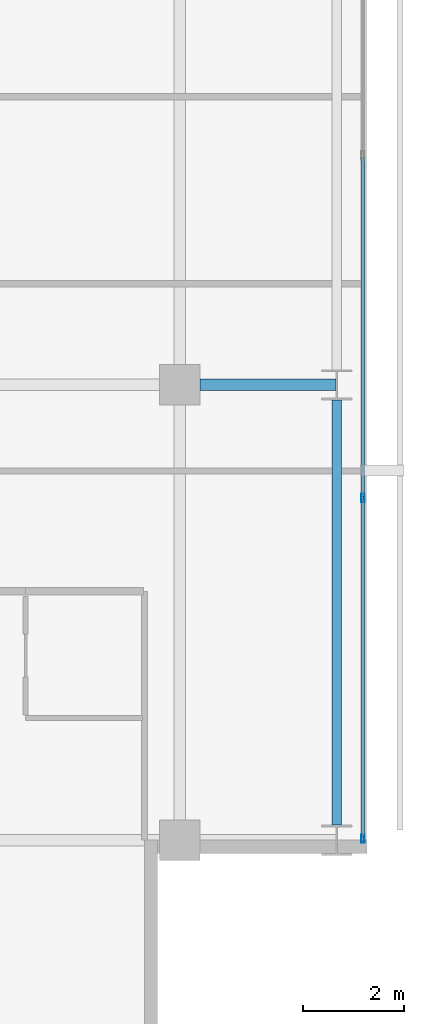
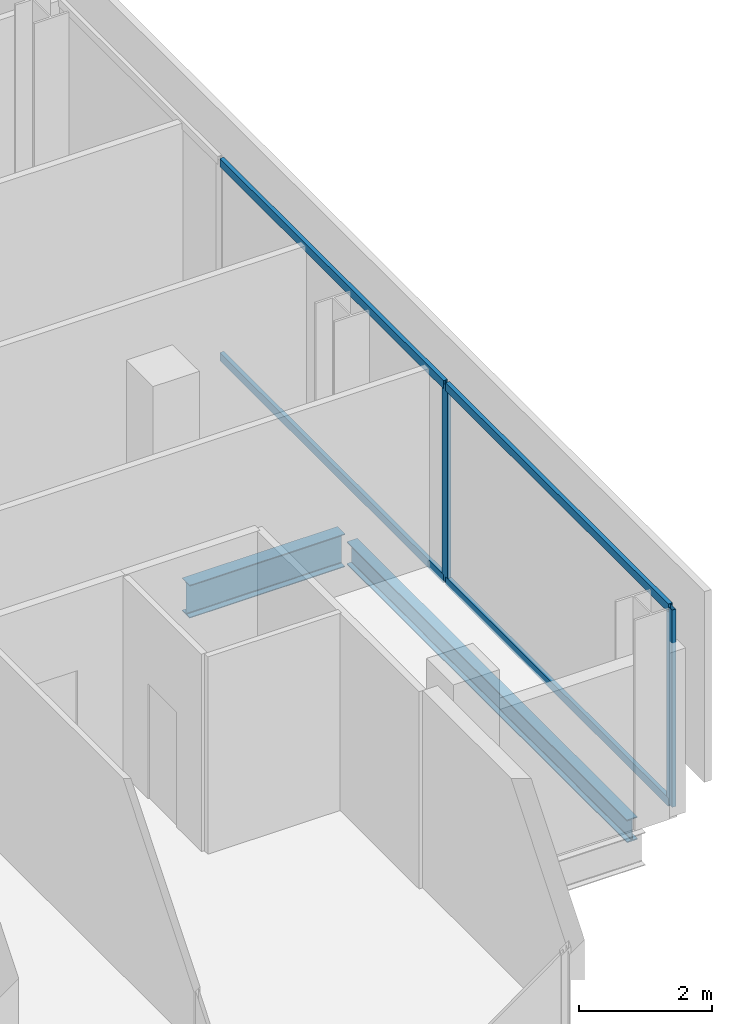
# One storey, part 15 of 34: 6 members, 2 beams, 1 element without a shape of its own.
"""IFC4 building model written with IfcOpenShell, lengths in metres."""

import ifcopenshell
import ifcopenshell.guid

model = None  # the IFC model being written
_history = None  # IfcOwnerHistory: only IFC2X3 demands one
_inside = {}  # id of a spatial element -> (the spatial element, [elements in it])
_under = {}  # id of a project, library or spatial element -> (it, [spatial elements below it])
_declared = {}  # id of a project -> (the project, [libraries it declares])
_typed = {}  # id of a type object -> (the type object, [elements of that type])
_made_of = {}  # id of a material, layer set ... -> (it, [elements and type objects made of it])


def new_model(schema):
    """Start an empty IFC model of exactly this schema.

    Asked for "IFC4X3", IfcOpenShell would pick the latest addendum, in which some entities
    have other attributes; the version numbers below select the first issue.
    IFC2X3 requires an IfcOwnerHistory on every rooted entity: one is made here for all.
    """
    global model, _history
    if schema == "IFC4X3":
        model = ifcopenshell.file(schema_version=(4, 3, 0, 0))
    else:
        model = ifcopenshell.file(schema=schema)
    _inside.clear()
    _under.clear()
    _declared.clear()
    _typed.clear()
    _made_of.clear()
    _history = None
    if model.schema == "IFC2X3":
        org = make("IfcOrganization", Name="unknown")
        user = make(
            "IfcPersonAndOrganization",
            ThePerson=make("IfcPerson", FamilyName="unknown"),
            TheOrganization=org,
        )
        app = make(
            "IfcApplication",
            ApplicationDeveloper=org,
            Version="unknown",
            ApplicationFullName="unknown",
            ApplicationIdentifier="unknown",
        )
        _history = make(
            "IfcOwnerHistory",
            OwningUser=user,
            OwningApplication=app,
            ChangeAction="ADDED",
            CreationDate=0,
        )
    return model


def make(cls, **values):
    """One entity of the class cls with the attributes given. An attribute that is None is left unset."""
    return model.create_entity(
        cls, **{name: value for name, value in values.items() if value is not None}
    )


def rooted(cls, **values):
    """An entity with a GlobalId (a new one), such as an element, a storey or a relation."""
    return make(cls, GlobalId=ifcopenshell.guid.new(), OwnerHistory=_history, **values)


def si_unit(unit_type, name, prefix=None):
    """IfcSIUnit, for example si_unit("LENGTHUNIT", "METRE", prefix="MILLI")."""
    return make("IfcSIUnit", UnitType=unit_type, Prefix=prefix, Name=name)


def assignment(units):
    """IfcUnitAssignment: the units of a project."""
    return None if units is None else make("IfcUnitAssignment", Units=units)


def point(xyz):
    """IfcCartesianPoint."""
    return None if xyz is None else make("IfcCartesianPoint", Coordinates=xyz)


def direction(xyz):
    """IfcDirection."""
    return None if xyz is None else make("IfcDirection", DirectionRatios=xyz)


def frame(location, z_axis=None, x_axis=None):
    """IfcAxis2Placement3D, a coordinate frame: its origin and axes. An axis left out is left unset."""
    return make(
        "IfcAxis2Placement3D",
        Location=point(location),
        Axis=direction(z_axis),
        RefDirection=direction(x_axis),
    )


def frame_2d(location, x_axis=None):
    """IfcAxis2Placement2D, a coordinate frame in the plane: its origin and x axis."""
    return make(
        "IfcAxis2Placement2D", Location=point(location), RefDirection=direction(x_axis)
    )


def origin():
    """The frame at (0, 0, 0) with its axes left unset."""
    return frame((0.0, 0.0, 0.0))


def origin_2d():
    """The frame at (0, 0) in the plane with its x axis left unset."""
    return frame_2d((0.0, 0.0))


def place(relative_to, where):
    """IfcLocalPlacement: puts the frame where relative to a parent placement (None: the world)."""
    return make(
        "IfcLocalPlacement", PlacementRelTo=relative_to, RelativePlacement=where
    )


def context(
    kind, dimensions, precision=None, world=None, true_north=None, identifier=None
):
    """IfcGeometricRepresentationContext, for example the 3D "Model" context."""
    return make(
        "IfcGeometricRepresentationContext",
        ContextIdentifier=identifier,
        ContextType=kind,
        CoordinateSpaceDimension=dimensions,
        Precision=precision,
        WorldCoordinateSystem=world,
        TrueNorth=true_north,
    )


def subcontext(parent, identifier, kind, view, scale=None):
    """IfcGeometricRepresentationSubContext, for example "Body" below "Model"."""
    return make(
        "IfcGeometricRepresentationSubContext",
        ContextIdentifier=identifier,
        ContextType=kind,
        ParentContext=parent,
        TargetScale=scale,
        TargetView=view,
    )


def project(units=None, contexts=None):
    """IfcProject with its units and contexts."""
    return rooted(
        "IfcProject",
        Name="project",
        RepresentationContexts=contexts,
        UnitsInContext=assignment(units),
    )


def spatial(cls, under=None, at=None, **own):
    """A site, building, storey or space (cls), placed at a placement, below another one or the project."""
    s = rooted(cls, ObjectPlacement=at, **own)
    if under is not None:
        _under.setdefault(under.id(), (under, []))[1].append(s)
    return s


def profile(cls, at=None, kind="AREA", **sizes):
    """A parametric profile (cls). Its sizes go by their IFC names, for example OverallWidth=200.0."""
    return make(cls, ProfileType=kind, Position=at, **sizes)


def hollow_rectangle(**sizes):
    """IfcRectangleHollowProfileDef."""
    return profile("IfcRectangleHollowProfileDef", **sizes)


def i_section(**sizes):
    """IfcIShapeProfileDef."""
    return profile("IfcIShapeProfileDef", **sizes)


def extrude(swept, where, along, depth):
    """IfcExtrudedAreaSolid: the profile swept, set in the frame where, extruded along a direction by depth."""
    return make(
        "IfcExtrudedAreaSolid",
        SweptArea=swept,
        Position=where,
        ExtrudedDirection=direction(along),
        Depth=depth,
    )


def shape(context_of_items, identifier, shape_type, items):
    """IfcShapeRepresentation: the items that make up one representation, for example the "Body"."""
    return make(
        "IfcShapeRepresentation",
        ContextOfItems=context_of_items,
        RepresentationIdentifier=identifier,
        RepresentationType=shape_type,
        Items=items,
    )


def material(Name=None, Category=None):
    """IfcMaterial."""
    return make("IfcMaterial", Name=Name, Category=Category)


def layer(
    of_material, thickness, ventilated=None, Name=None, Category=None, Priority=None
):
    """IfcMaterialLayer: one layer of a wall or slab, of a material (None: an air gap)."""
    return make(
        "IfcMaterialLayer",
        Material=of_material,
        LayerThickness=thickness,
        IsVentilated=ventilated,
        Name=Name,
        Category=Category,
        Priority=Priority,
    )


def layer_set(layers, Name=None):
    """IfcMaterialLayerSet."""
    return make("IfcMaterialLayerSet", MaterialLayers=layers, LayerSetName=Name)


def material_profile(
    of_material, cross_section, Name=None, Category=None, Priority=None
):
    """IfcMaterialProfile: a cross section and its material."""
    return make(
        "IfcMaterialProfile",
        Name=Name,
        Material=of_material,
        Profile=cross_section,
        Priority=Priority,
        Category=Category,
    )


def profile_set(profiles, Name=None, composite=None):
    """IfcMaterialProfileSet."""
    return make(
        "IfcMaterialProfileSet",
        Name=Name,
        MaterialProfiles=profiles,
        CompositeProfile=composite,
    )


def made_of(thing, what):
    """Note that an element or type object is made of a material, layer set ...; save() writes the relation."""
    if what is not None:
        _made_of.setdefault(what.id(), (what, []))[1].append(thing)
    return thing


def type_object(cls, material=None, **own):
    """A type object (cls), such as IfcWallType, which elements share."""
    return made_of(rooted(cls, **own), material)


def element(
    cls,
    number,
    at=None,
    inside=None,
    cuts=None,
    type_object=None,
    material=None,
    context=None,
    identifier="Body",
    shape_type=None,
    held_by="IfcProductDefinitionShape",
    body=None,
    shapes=None,
    **own,
):
    """One element of the class cls, such as IfcWall. Its Tag is "e" and its number.

    at: its placement. inside: the storey or other place that contains it. cuts: it is an
    opening in that element (IfcRelVoidsElement). A single representation is given by context,
    identifier, shape_type and body (its items); several are given by shapes. held_by: the class
    of the entity that holds the representations. save() writes the other relations.
    """
    e = rooted(cls, Tag="e%d" % number, ObjectPlacement=at, **own)
    if body is not None:
        shapes = [shape(context, identifier, shape_type, body)]
    if shapes is not None:
        e.Representation = make(held_by, Representations=shapes)
    if inside is not None:
        _inside.setdefault(inside.id(), (inside, []))[1].append(e)
    if cuts is not None:
        rooted(
            "IfcRelVoidsElement", RelatingBuildingElement=cuts, RelatedOpeningElement=e
        )
    if type_object is not None:
        _typed.setdefault(type_object.id(), (type_object, []))[1].append(e)
    return made_of(e, material)


def aggregate(whole, parts):
    """IfcRelAggregates: a whole, such as a stair, and the parts it consists of."""
    return rooted("IfcRelAggregates", RelatingObject=whole, RelatedObjects=parts)


def save(model, path):
    """Write the relations noted so far, then the file.

    IfcRelAggregates (storeys below a building ...), IfcRelContainedInSpatialStructure (elements
    in a storey), IfcRelDefinesByType, IfcRelAssociatesMaterial and IfcRelDeclares: one each for
    every whole, place, type object, material and project.
    """
    for whole, parts in _under.values():
        aggregate(whole, parts)
    for where, things in _inside.values():
        rooted(
            "IfcRelContainedInSpatialStructure",
            RelatedElements=things,
            RelatingStructure=where,
        )
    for kind, things in _typed.values():
        rooted("IfcRelDefinesByType", RelatedObjects=things, RelatingType=kind)
    for what, things in _made_of.values():
        rooted("IfcRelAssociatesMaterial", RelatedObjects=things, RelatingMaterial=what)
    for by, libraries in _declared.values():
        rooted("IfcRelDeclares", RelatingContext=by, RelatedDefinitions=libraries)
    model.write(path)


model = new_model("IFC4")

# Units and contexts
model_context = context("Model", 3, precision=1e-05, world=origin(), true_north=direction((0.0, 1.0)))
body_context = subcontext(model_context, "Body", "Model", "MODEL_VIEW")
ifc_project = project(units=[si_unit("LENGTHUNIT", "METRE"), si_unit("AREAUNIT", "SQUARE_METRE"), si_unit("VOLUMEUNIT", "CUBIC_METRE"), si_unit("PLANEANGLEUNIT", "RADIAN"), si_unit("MASSUNIT", "GRAM", prefix="KILO")], contexts=[model_context])

# Site, building, storey
site_placement = place(None, origin())
site = spatial("IfcSite", under=ifc_project, at=site_placement, CompositionType="ELEMENT")
building_placement = place(site_placement, origin())
building = spatial("IfcBuilding", under=site, at=building_placement, Name="Maruvema Waterfront Hotel and Observation Tower", CompositionType="ELEMENT")
storey_placement = place(building_placement, frame((0.0, 0.0, 185.14990234375)))
storey = spatial("IfcBuildingStorey", under=building, at=storey_placement, Name="L45", CompositionType="ELEMENT", Elevation=185.14990234375)

# Curtain wall, members
ifc_material_1 = material(Name="Anodised bronze aluminium and solar-control low-E IGU", Category="aluminium")
ifc_layer = layer(ifc_material_1, 0.159912109375, Name="Zone 2 Amber Inner Thermal Curtain Wall System CW-03")
ifc_layer_set = layer_set([ifc_layer], Name="Anodised bronze aluminium and solar-control low-E IGU")
curtain_wall_type = type_object("IfcCurtainWallType", Name="Zone 2 Amber Inner Thermal Curtain Wall System CW-03", PredefinedType="USERDEFINED", material=ifc_layer_set)
curtain_wall_placement = place(storey_placement, origin())
curtain_wall = element("IfcCurtainWall", 1, at=curtain_wall_placement, inside=storey, type_object=curtain_wall_type, Name="L45 Curtain Wall CW-L45-E", ObjectType="UNITISED CURTAIN WALL", PredefinedType="USERDEFINED")
ifc_material_2 = material(Name="Anodised architectural bronze aluminium", Category="aluminium")
ifc_material_profile_1 = material_profile(ifc_material_2, hollow_rectangle(XDim=0.070068359375, YDim=0.14990234375, WallThickness=0.00390625, at=origin_2d()), Name="ALU-T70x150")
ifc_profile_set_1 = profile_set([ifc_material_profile_1], Name="Anodised architectural bronze aluminium")
member_type_1 = type_object("IfcMemberType", Name="Curtain Wall Horizontal Transom ALU-T70x150", PredefinedType="USERDEFINED", material=ifc_profile_set_1)
member_1_placement = place(storey_placement, frame((62.419921875, 9.06005859375, 0.030029296875), z_axis=(0.0, 1.0, 0.0), x_axis=(-1.0, 0.0, 0.0)))
member_1 = element("IfcMember", 2, at=member_1_placement, type_object=member_type_1, Name="CW-03 transom 1.1", ObjectType="TRANSOM", PredefinedType="USERDEFINED", context=body_context, shape_type="SweptSolid", body=[
    extrude(hollow_rectangle(XDim=0.070068359375, YDim=0.14990234375, WallThickness=0.00390625, at=origin_2d()), origin(), (0.0, 0.0, 1.0), 6.676513671875),
])
member_2_placement = place(storey_placement, frame((62.419921875, 9.06005859375, 3.580078125), z_axis=(0.0, 1.0, 0.0), x_axis=(-1.0, 0.0, 0.0)))
member_2 = element("IfcMember", 3, at=member_2_placement, type_object=member_type_1, Name="CW-03 transom 1.2", ObjectType="TRANSOM", PredefinedType="USERDEFINED", context=body_context, shape_type="SweptSolid", body=[
    extrude(hollow_rectangle(XDim=0.070068359375, YDim=0.14990234375, WallThickness=0.00390625, at=origin_2d()), origin(), (0.0, 0.0, 1.0), 6.676513671875),
])
member_3_placement = place(storey_placement, frame((62.419921875, 15.796630859375, 0.030029296875), z_axis=(0.0, 1.0, 0.0), x_axis=(-1.0, 0.0, 0.0)))
member_3 = element("IfcMember", 4, at=member_3_placement, type_object=member_type_1, Name="CW-03 transom 2.1", ObjectType="TRANSOM", PredefinedType="USERDEFINED", context=body_context, shape_type="SweptSolid", body=[
    extrude(hollow_rectangle(XDim=0.070068359375, YDim=0.14990234375, WallThickness=0.00390625, at=origin_2d()), origin(), (0.0, 0.0, 1.0), 6.706787109375),
])
member_4_placement = place(storey_placement, frame((62.419921875, 15.796630859375, 3.580078125), z_axis=(0.0, 1.0, 0.0), x_axis=(-1.0, 0.0, 0.0)))
member_4 = element("IfcMember", 5, at=member_4_placement, type_object=member_type_1, Name="CW-03 transom 2.2", ObjectType="TRANSOM", PredefinedType="USERDEFINED", context=body_context, shape_type="SweptSolid", body=[
    extrude(hollow_rectangle(XDim=0.070068359375, YDim=0.14990234375, WallThickness=0.00390625, at=origin_2d()), origin(), (0.0, 0.0, 1.0), 6.706787109375),
])
ifc_material_3 = material(Name="Anodised architectural bronze aluminium", Category="aluminium")
ifc_material_profile_2 = material_profile(ifc_material_3, hollow_rectangle(XDim=0.06494140625, YDim=0.1650390625, WallThickness=0.00390625, at=origin_2d()), Name="ALU-M65x165")
ifc_profile_set_2 = profile_set([ifc_material_profile_2], Name="Anodised architectural bronze aluminium")
member_type_2 = type_object("IfcMemberType", Name="Curtain Wall Primary Mullion ALU-M65x165", PredefinedType="MULLION", material=ifc_profile_set_2)
member_5_placement = place(storey_placement, frame((62.419921875, 9.030029296875, 0.0), z_axis=(0.0, 0.0, 1.0), x_axis=(-1.0, 0.0, 0.0)))
member_5 = element("IfcMember", 6, at=member_5_placement, type_object=member_type_2, Name="CW-03 mullion 1", PredefinedType="MULLION", context=body_context, shape_type="SweptSolid", body=[
    extrude(hollow_rectangle(XDim=0.06494140625, YDim=0.1650390625, WallThickness=0.00390625, at=origin_2d()), origin(), (0.0, 0.0, 1.0), 3.610107421875),
])
member_6_placement = place(storey_placement, frame((62.419921875, 15.7666015625, 0.0), z_axis=(0.0, 0.0, 1.0), x_axis=(-1.0, 0.0, 0.0)))
member_6 = element("IfcMember", 7, at=member_6_placement, type_object=member_type_2, Name="CW-03 mullion 2", PredefinedType="MULLION", context=body_context, shape_type="SweptSolid", body=[
    extrude(hollow_rectangle(XDim=0.06494140625, YDim=0.1650390625, WallThickness=0.00390625, at=origin_2d()), origin(), (0.0, 0.0, 1.0), 3.610107421875),
])
aggregate(curtain_wall, [member_5, member_6, member_1, member_2, member_3, member_4])

# Beams
ifc_material_4 = material(Name="Steel ASTM A572 Grade 50", Category="steel")
ifc_material_profile_3 = material_profile(ifc_material_4, i_section(OverallWidth=0.180908203125, OverallDepth=0.4169921875, WebThickness=0.010986328125, FlangeThickness=0.018310546875, FilletRadius=0.014892578125, at=origin_2d()), Name="W410x85.0")
ifc_profile_set_3 = profile_set([ifc_material_profile_3], Name="Steel ASTM A572 Grade 50")
beam_type_1 = type_object("IfcBeamType", Name="Perimeter Spandrel Beam W410x85.0", PredefinedType="SPANDREL", material=ifc_profile_set_3)
beam_1_placement = place(storey_placement, frame((61.89990234375, 9.300048828125, -0.448486328125), z_axis=(0.0, 1.0, 0.0), x_axis=(-1.0, 0.0, 0.0)))
element("IfcBeam", 8, at=beam_1_placement, inside=storey, type_object=beam_type_1, Name="L45 Floor Girder NS-29", PredefinedType="SPANDREL", context=body_context, shape_type="SweptSolid", body=[
    extrude(i_section(OverallWidth=0.180908203125, OverallDepth=0.4169921875, WebThickness=0.010986328125, FlangeThickness=0.018310546875, FilletRadius=0.014892578125, at=origin_2d()), origin(), (0.0, 0.0, 1.0), 8.39990234375),
])
ifc_material_5 = material(Name="Steel ASTM A572 Grade 50", Category="steel")
ifc_material_profile_4 = material_profile(ifc_material_5, i_section(OverallWidth=0.22802734375, OverallDepth=0.60302734375, WebThickness=0.010498046875, FlangeThickness=0.014892578125, FilletRadius=0.01806640625, at=origin_2d()), Name="W610x101.0")
ifc_profile_set_4 = profile_set([ifc_material_profile_4], Name="Steel ASTM A572 Grade 50")
beam_type_2 = type_object("IfcBeamType", Name="Primary Floor Girder W610x101.0", PredefinedType="BEAM", material=ifc_profile_set_4)
beam_2_placement = place(storey_placement, frame((59.199951171875, 18.0, -0.54150390625), z_axis=(1.0, 0.0, 0.0), x_axis=(0.0, 1.0, 0.0)))
element("IfcBeam", 9, at=beam_2_placement, inside=storey, type_object=beam_type_2, Name="L45 Floor Girder EW-17", PredefinedType="BEAM", context=body_context, shape_type="SweptSolid", body=[
    extrude(i_section(OverallWidth=0.22802734375, OverallDepth=0.60302734375, WebThickness=0.010498046875, FlangeThickness=0.014892578125, FilletRadius=0.01806640625, at=origin_2d()), origin(), (0.0, 0.0, 1.0), 2.6875),
])

save(model, "model.ifc")
